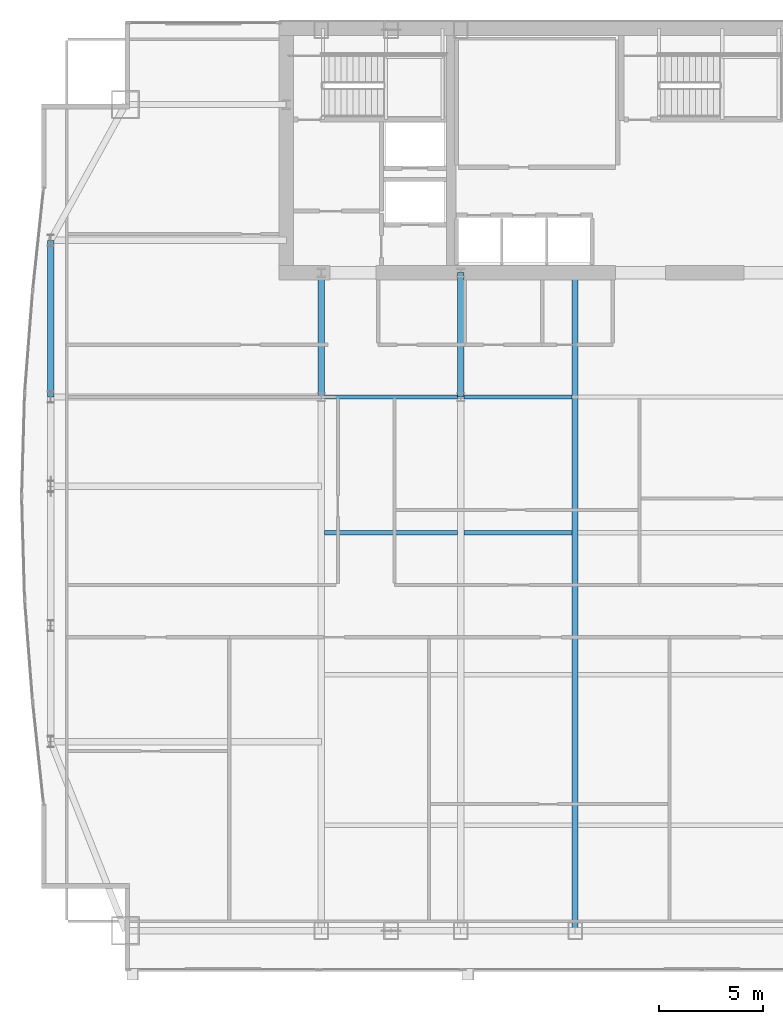
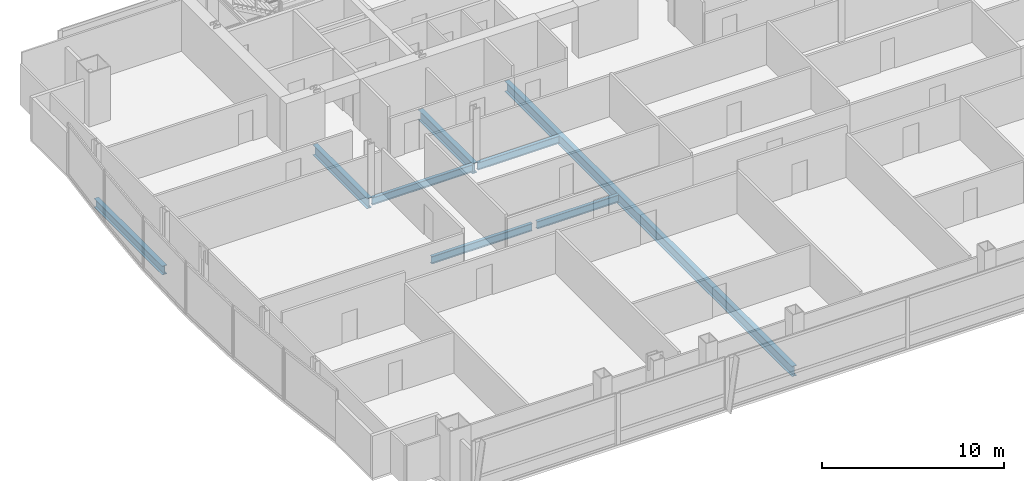
# One storey, part 12 of 29: 8 beams.
"""IFC4 building model written with IfcOpenShell, lengths in metres."""

from ifc_helpers import new_model, si_unit, direction, frame, origin, origin_2d, place, context, subcontext, project, spatial, i_section, extrude, material, material_profile, profile_set, type_object, element, save


model = new_model("IFC4")

# Units and contexts
model_context = context("Model", 3, precision=1e-05, world=origin(), true_north=direction((0.0, 1.0)))
body_context = subcontext(model_context, "Body", "Model", "MODEL_VIEW")
ifc_project = project(units=[si_unit("LENGTHUNIT", "METRE"), si_unit("AREAUNIT", "SQUARE_METRE"), si_unit("VOLUMEUNIT", "CUBIC_METRE"), si_unit("PLANEANGLEUNIT", "RADIAN"), si_unit("MASSUNIT", "GRAM", prefix="KILO")], contexts=[model_context])

# Site, building, storey
site_placement = place(None, origin())
site = spatial("IfcSite", under=ifc_project, at=site_placement, CompositionType="ELEMENT")
building_placement = place(site_placement, origin())
building = spatial("IfcBuilding", under=site, at=building_placement, Name="Khoronbel Lancet Exchange", CompositionType="ELEMENT")
storey_placement = place(building_placement, frame((0.0, 0.0, 143.39990234375)))
storey = spatial("IfcBuildingStorey", under=building, at=storey_placement, Name="L35", CompositionType="ELEMENT", Elevation=143.39990234375)

# Beams
ifc_material = material(Name="Steel S355", Category="steel")
ifc_material_profile_1 = material_profile(ifc_material, i_section(OverallWidth=0.300048828125, OverallDepth=0.699951171875, WebThickness=0.01708984375, FlangeThickness=0.031982421875, at=origin_2d()), Name="HEB 700")
ifc_profile_set_1 = profile_set([ifc_material_profile_1], Name="Steel S355")
beam_type_1 = type_object("IfcBeamType", Name="BM-BG3", PredefinedType="BEAM", material=ifc_profile_set_1)
for number, where, z_axis, x_axis, name in (
    (1, (18.22509765625, 35.699951171875, -0.510009765625), (0.0, 1.0, 0.0), (-1.0, 0.0, 0.0), "Level L35 spine tie girder GN1"),
    (2, (24.89990234375, 35.699951171875, -0.510009765625), (0.0, 1.0, 0.0), (-1.0, 0.0, 0.0), "Level L35 spine tie girder GN2"),
):
    element("IfcBeam", number, at=place(storey_placement, frame(where, z_axis=z_axis, x_axis=x_axis)), inside=storey, type_object=beam_type_1, Name=name, PredefinedType="BEAM", context=body_context, shape_type="SweptSolid", body=[
        extrude(i_section(OverallWidth=0.300048828125, OverallDepth=0.699951171875, WebThickness=0.01708984375, FlangeThickness=0.031982421875, at=origin_2d()), origin(), (0.0, 0.0, 1.0), 5.949951171875),
    ])
beam_1_placement = place(storey_placement, frame((30.375, 10.14990234375, -0.510009765625), z_axis=(0.0, 1.0, 0.0), x_axis=(-1.0, 0.0, 0.0)))
element("IfcBeam", 3, at=beam_1_placement, inside=storey, type_object=beam_type_1, Name="Level L35 primary floor girder G3", PredefinedType="BEAM", context=body_context, shape_type="SweptSolid", body=[
    extrude(i_section(OverallWidth=0.300048828125, OverallDepth=0.699951171875, WebThickness=0.01708984375, FlangeThickness=0.031982421875, at=origin_2d()), origin(), (0.0, 0.0, 1.0), 31.5),
])
ifc_material_profile_2 = material_profile(ifc_material, i_section(OverallWidth=0.199951171875, OverallDepth=0.5, WebThickness=0.01025390625, FlangeThickness=0.01611328125, at=origin_2d()), Name="IPE 500")
ifc_profile_set_2 = profile_set([ifc_material_profile_2], Name="Steel S355")
beam_type_2 = type_object("IfcBeamType", Name="BM-BJ3", PredefinedType="JOIST", material=ifc_profile_set_2)
beam_2_placement = place(storey_placement, frame((18.375, 29.199951171875, -0.409912109375), z_axis=(1.0, 0.0, 0.0), x_axis=(0.0, 1.0, 0.0)))
element("IfcBeam", 4, at=beam_2_placement, inside=storey, type_object=beam_type_2, Name="Level L35 secondary composite joist J11", PredefinedType="JOIST", context=body_context, shape_type="SweptSolid", body=[
    extrude(i_section(OverallWidth=0.199951171875, OverallDepth=0.5, WebThickness=0.01025390625, FlangeThickness=0.01611328125, at=origin_2d()), origin(), (0.0, 0.0, 1.0), 6.375),
])
beam_3_placement = place(storey_placement, frame((25.050048828125, 29.199951171875, -0.409912109375), z_axis=(1.0, 0.0, 0.0), x_axis=(0.0, 1.0, 0.0)))
element("IfcBeam", 5, at=beam_3_placement, inside=storey, type_object=beam_type_2, Name="Level L35 secondary composite joist J12", PredefinedType="JOIST", context=body_context, shape_type="SweptSolid", body=[
    extrude(i_section(OverallWidth=0.199951171875, OverallDepth=0.5, WebThickness=0.01025390625, FlangeThickness=0.01611328125, at=origin_2d()), origin(), (0.0, 0.0, 1.0), 5.175048828125),
])
beam_4_placement = place(storey_placement, frame((18.375, 35.699951171875, -0.409912109375), z_axis=(1.0, 0.0, 0.0), x_axis=(0.0, 1.0, 0.0)))
element("IfcBeam", 6, at=beam_4_placement, inside=storey, type_object=beam_type_2, Name="Level L35 secondary composite joist J16", PredefinedType="JOIST", context=body_context, shape_type="SweptSolid", body=[
    extrude(i_section(OverallWidth=0.199951171875, OverallDepth=0.5, WebThickness=0.01025390625, FlangeThickness=0.01611328125, at=origin_2d()), origin(), (0.0, 0.0, 1.0), 6.375),
])
beam_5_placement = place(storey_placement, frame((25.050048828125, 35.699951171875, -0.409912109375), z_axis=(1.0, 0.0, 0.0), x_axis=(0.0, 1.0, 0.0)))
element("IfcBeam", 7, at=beam_5_placement, inside=storey, type_object=beam_type_2, Name="Level L35 secondary composite joist J17", PredefinedType="JOIST", context=body_context, shape_type="SweptSolid", body=[
    extrude(i_section(OverallWidth=0.199951171875, OverallDepth=0.5, WebThickness=0.01025390625, FlangeThickness=0.01611328125, at=origin_2d()), origin(), (0.0, 0.0, 1.0), 5.175048828125),
])
ifc_material_profile_3 = material_profile(ifc_material, i_section(OverallWidth=0.300048828125, OverallDepth=0.60009765625, WebThickness=0.015380859375, FlangeThickness=0.030029296875, at=origin_2d()), Name="HEB 600")
ifc_profile_set_3 = profile_set([ifc_material_profile_3], Name="Steel S355")
beam_type_3 = type_object("IfcBeamType", Name="BM-BSP2", PredefinedType="SPANDREL", material=ifc_profile_set_3)
beam_6_placement = place(storey_placement, frame((5.27001953125, 43.199951171875, -0.4599609375), z_axis=(0.0, -1.0, 0.0), x_axis=(1.0, 0.0, 0.0)))
element("IfcBeam", 8, at=beam_6_placement, inside=storey, type_object=beam_type_3, Name="Level L35 perimeter spandrel beam SP17", PredefinedType="SPANDREL", context=body_context, shape_type="SweptSolid", body=[
    extrude(i_section(OverallWidth=0.300048828125, OverallDepth=0.60009765625, WebThickness=0.015380859375, FlangeThickness=0.030029296875, at=origin_2d()), origin(), (0.0, 0.0, 1.0), 7.5),
])

save(model, "model.ifc")
